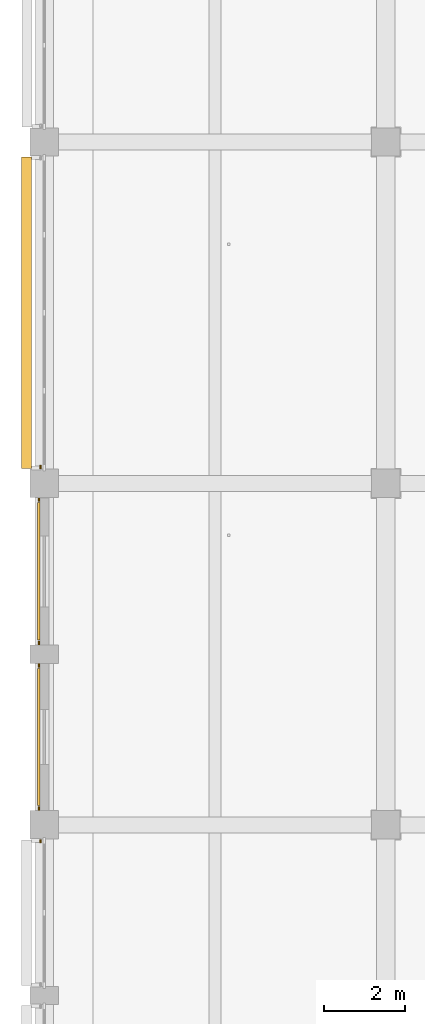
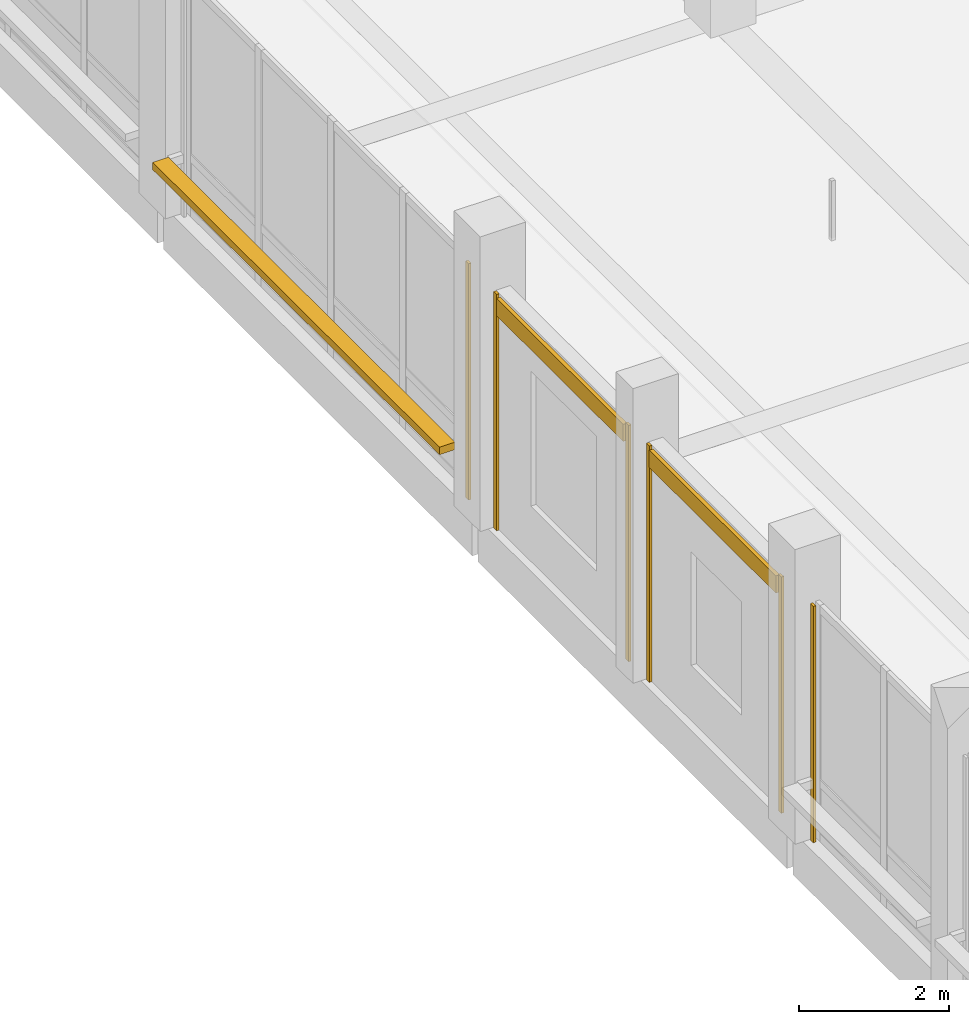
# One storey, part 87 of 128: 8 coverings, 1 shading device.
"""IFC4 building model written with IfcOpenShell, lengths in metres."""

from ifc_helpers import new_model, si_unit, direction, frame, origin, origin_2d, place, context, subcontext, project, spatial, rectangle, extrude, material, layer, layer_set, type_object, element, save


model = new_model("IFC4")

# Units and contexts
model_context = context("Model", 3, precision=1e-05, world=origin(), true_north=direction((0.0, 1.0)))
body_context = subcontext(model_context, "Body", "Model", "MODEL_VIEW")
ifc_project = project(units=[si_unit("LENGTHUNIT", "METRE"), si_unit("AREAUNIT", "SQUARE_METRE"), si_unit("VOLUMEUNIT", "CUBIC_METRE"), si_unit("PLANEANGLEUNIT", "RADIAN"), si_unit("MASSUNIT", "GRAM", prefix="KILO")], contexts=[model_context])

# Site, building, storey
site_placement = place(None, origin())
site = spatial("IfcSite", under=ifc_project, at=site_placement, CompositionType="ELEMENT")
building_placement = place(site_placement, origin())
building = spatial("IfcBuilding", under=site, at=building_placement, Name="Telukmera Botanical Conservatory", CompositionType="ELEMENT")
storey_placement = place(building_placement, frame((0.0, 0.0, 5.39990234375)))
storey = spatial("IfcBuildingStorey", under=building, at=storey_placement, Name="L01", CompositionType="ELEMENT", Elevation=5.39990234375)

# Coverings
ifc_material_1 = material(Name="Granite-faced precast concrete C40/50", Category="masonry")
ifc_layer_1 = layer(ifc_material_1, 0.0400390625)
ifc_layer_set_1 = layer_set([ifc_layer_1], Name="Granite-faced precast concrete C40/50")
covering_type_1 = type_object("IfcCoveringType", Name="Granite Precast Column Pier Reveal Casing", PredefinedType="CLADDING", material=ifc_layer_set_1)
for number, where, z_axis, x_axis, name in (
    (1, (8.300048828125, 25.597900390625, 0.0), (0.0, 0.0, 1.0), (0.0, 1.0, 0.0), "Granite Pier Reveal V3:L01:W1B R"),
    (2, (8.27001953125, 26.402099609375, 0.0), (0.0, 0.0, 1.0), (0.0, 1.0, 0.0), "Granite Pier Reveal V3:L01:W2A L"),
    (3, (8.27001953125, 29.923095703125, 0.0), (0.0, 0.0, 1.0), (0.0, 1.0, 0.0), "Granite Pier Reveal V3:L01:W2A R"),
    (4, (8.27001953125, 30.47705078125, 0.0), (0.0, 0.0, 1.0), (0.0, 1.0, 0.0), "Granite Pier Reveal V3:L01:W2B L"),
    (5, (8.27001953125, 33.998046875, 0.0), (0.0, 0.0, 1.0), (0.0, 1.0, 0.0), "Granite Pier Reveal V3:L01:W2B R"),
    (6, (8.300048828125, 34.802001953125, 0.0), (0.0, 0.0, 1.0), (0.0, 1.0, 0.0), "Granite Pier Reveal V3:L01:W3 L"),
):
    element("IfcCovering", number, at=place(storey_placement, frame(where, z_axis=z_axis, x_axis=x_axis)), inside=storey, type_object=covering_type_1, Name=name, PredefinedType="CLADDING", context=body_context, shape_type="SweptSolid", body=[
        extrude(rectangle(XDim=0.080078125, YDim=0.0400390625, at=origin_2d()), origin(), (0.0, 0.0, 1.0), 3.85009765625),
    ])

# Shading device
ifc_material_2 = material(Name="Perforated terracotta-anodised aluminium 6063-T6", Category="masonry")
ifc_layer_2 = layer(ifc_material_2, 0.044921875)
ifc_layer_set_2 = layer_set([ifc_layer_2], Name="Perforated terracotta-anodised aluminium 6063-T6")
shading_device_type = type_object("IfcShadingDeviceType", Name="Perforated Terracotta Aluminium Monsoon Brise Soleil", PredefinedType="JALOUSIE", material=ifc_layer_set_2)
shading_device_placement = place(storey_placement, frame((7.9599609375, 38.60009765625, 0.89013671875), z_axis=(0.0, 0.0, 1.0), x_axis=(0.0, 1.0, 0.0)))
element("IfcShadingDevice", 7, at=shading_device_placement, inside=storey, type_object=shading_device_type, Name="Monsoon Shading BS01 V3:L01:W3", PredefinedType="JALOUSIE", context=body_context, shape_type="SweptSolid", body=[
    extrude(rectangle(XDim=7.656005859375, YDim=0.239990234375, at=origin_2d()), origin(), (0.0, 0.0, 1.0), 0.1201171875),
])

# Coverings
ifc_material_3 = material(Name="Terracotta-faced precast concrete C40/50", Category="masonry")
ifc_layer_3 = layer(ifc_material_3, 0.06005859375)
ifc_layer_set_3 = layer_set([ifc_layer_3], Name="Terracotta-faced precast concrete C40/50")
covering_type_2 = type_object("IfcCoveringType", Name="Polychrome Terracotta Facade Band Cladding", PredefinedType="CLADDING", material=ifc_layer_set_3)
for number, where, z_axis, x_axis, name in (
    (8, (8.260009765625, 28.16259765625, 3.5302734375), (0.0, 0.0, 1.0), (0.0, 1.0, 0.0), "Polychrome Terracotta Band V3:L01:W2A"),
    (9, (8.260009765625, 32.237548828125, 3.5302734375), (0.0, 0.0, 1.0), (0.0, 1.0, 0.0), "Polychrome Terracotta Band V3:L01:W2B"),
):
    element("IfcCovering", number, at=place(storey_placement, frame(where, z_axis=z_axis, x_axis=x_axis)), inside=storey, type_object=covering_type_2, Name=name, PredefinedType="CLADDING", context=body_context, shape_type="SweptSolid", body=[
        extrude(rectangle(XDim=3.381103515625, YDim=0.06005859375, at=origin_2d()), origin(), (0.0, 0.0, 1.0), 0.280029296875),
    ])

save(model, "model.ifc")
